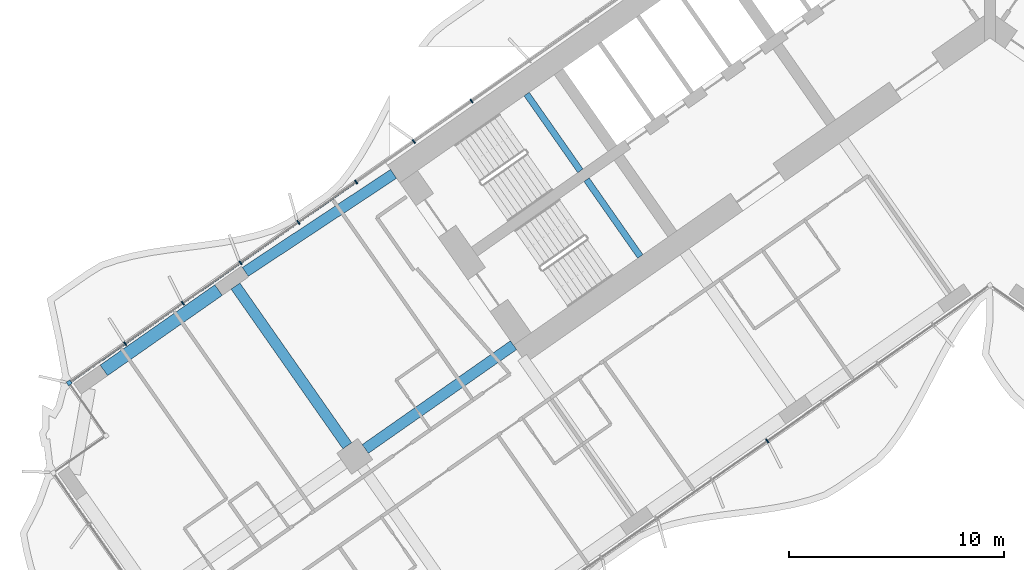
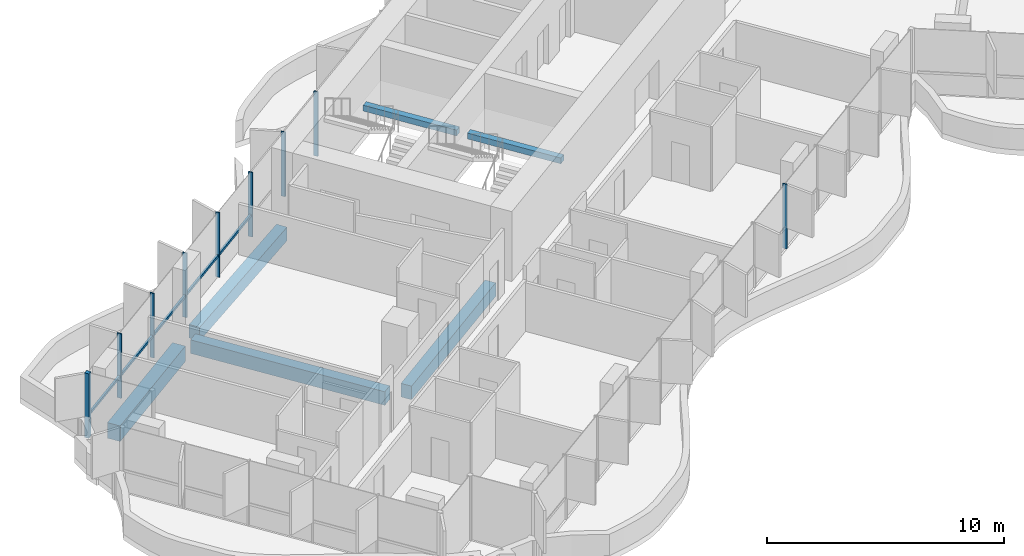
# One storey, part 4 of 23: 10 members, 6 beams, 2 elements without a shape of their own.
"""IFC4 building model written with IfcOpenShell, lengths in metres."""

from ifc_helpers import new_model, si_unit, direction, frame, origin, origin_2d, place, context, subcontext, project, spatial, rectangle, extrude, material, material_profile, profile_set, type_object, element, aggregate, save


model = new_model("IFC4")

# Units and contexts
model_context = context("Model", 3, precision=1e-05, world=origin(), true_north=direction((0.0, 1.0)))
body_context = subcontext(model_context, "Body", "Model", "MODEL_VIEW")
ifc_project = project(units=[si_unit("LENGTHUNIT", "METRE"), si_unit("AREAUNIT", "SQUARE_METRE"), si_unit("VOLUMEUNIT", "CUBIC_METRE"), si_unit("PLANEANGLEUNIT", "RADIAN"), si_unit("MASSUNIT", "GRAM", prefix="KILO")], contexts=[model_context])

# Site, building, storey
site_placement = place(None, origin())
site = spatial("IfcSite", under=ifc_project, at=site_placement, CompositionType="ELEMENT")
building_placement = place(site_placement, origin())
building = spatial("IfcBuilding", under=site, at=building_placement, Name="Tel Ilan Convention Tower", CompositionType="ELEMENT")
storey_placement = place(building_placement, frame((0.0, 0.0, 79.699951171875)))
storey = spatial("IfcBuildingStorey", under=building, at=storey_placement, Name="L15", CompositionType="ELEMENT", Elevation=79.699951171875)

# Beams
ifc_material_1 = material(Name="Concrete C40/50", Category="concrete")
ifc_material_profile_1 = material_profile(ifc_material_1, rectangle(XDim=0.5, YDim=0.699951171875, at=origin_2d()), Name="RC 500x700")
ifc_profile_set_1 = profile_set([ifc_material_profile_1], Name="Concrete C40/50")
beam_type_1 = type_object("IfcBeamType", Name="Beam RC 500x700 Concrete C40/50", PredefinedType="BEAM", material=ifc_profile_set_1)
beam_1_placement = place(storey_placement, frame((-34.570556640625, -12.08447265625, -0.6298828125), z_axis=(0.834273603487, 0.551350663847, 0.0), x_axis=(-0.551350663847, 0.834273603487, 0.0)))
element("IfcBeam", 1, at=beam_1_placement, inside=storey, type_object=beam_type_1, Name="L15 beam W-W-B4-core", PredefinedType="BEAM", context=body_context, shape_type="SweptSolid", body=[
    extrude(rectangle(XDim=0.5, YDim=0.699951171875, at=origin_2d()), origin(), (0.0, 0.0, 1.0), 8.2529296875),
])
beam_2_placement = place(storey_placement, frame((-22.1171875, -15.486572265625, -0.6298828125), z_axis=(-0.819147254605, -0.573583276668, 0.0), x_axis=(0.573583276668, -0.819147254605, 0.0)))
element("IfcBeam", 2, at=beam_2_placement, inside=storey, type_object=beam_type_1, Name="L15 beam W-core-W-M4", PredefinedType="BEAM", context=body_context, shape_type="SweptSolid", body=[
    extrude(rectangle(XDim=0.5, YDim=0.699951171875, at=origin_2d()), origin(), (0.0, 0.0, 1.0), 8.400146484375),
])
beam_3_placement = place(storey_placement, frame((-29.83349609375, -20.1572265625, -0.6298828125), z_axis=(-0.57358002233, 0.819149533348, 0.0), x_axis=(-0.819149533348, -0.57358002233, 0.0)))
element("IfcBeam", 3, at=beam_3_placement, inside=storey, type_object=beam_type_1, Name="L15 beam W-W-M4-W-B4", PredefinedType="BEAM", context=body_context, shape_type="SweptSolid", body=[
    extrude(rectangle(XDim=0.5, YDim=0.699951171875, at=origin_2d()), origin(), (0.0, 0.0, 1.0), 9.050048828125),
])
ifc_material_2 = material(Name="Concrete C40/50", Category="concrete")
ifc_material_profile_2 = material_profile(ifc_material_2, rectangle(XDim=0.60009765625, YDim=0.800048828125, at=origin_2d()), Name="RC 600x800")
ifc_profile_set_2 = profile_set([ifc_material_profile_2], Name="Concrete C40/50")
beam_type_2 = type_object("IfcBeamType", Name="Beam RC 600x800 Concrete C40/50", PredefinedType="BEAM", material=ifc_profile_set_2)
beam_4_placement = place(storey_placement, frame((-41.135498046875, -16.656494140625, -0.679931640625), z_axis=(0.819178980414, 0.573537965655, 0.0), x_axis=(-0.573537965655, 0.819178980414, 0.0)))
element("IfcBeam", 4, at=beam_4_placement, inside=storey, type_object=beam_type_2, Name="L15 beam W-W-BC-W-B4", PredefinedType="BEAM", context=body_context, shape_type="SweptSolid", body=[
    extrude(rectangle(XDim=0.60009765625, YDim=0.800048828125, at=origin_2d()), origin(), (0.0, 0.0, 1.0), 6.5),
])

# Curtain wall, member
ifc_material_3 = material(Name="Aluminium, bronze anodised", Category="aluminium")
curtain_wall_type_1 = type_object("IfcCurtainWallType", Name="CW1 UNITISED CURTAIN WALL, HOTEL TINTED GLASS", PredefinedType="NOTDEFINED", material=ifc_material_3)
curtain_wall_1_placement = place(storey_placement, origin())
curtain_wall_1 = element("IfcCurtainWall", 5, at=curtain_wall_1_placement, inside=storey, type_object=curtain_wall_type_1, Name="Curtain wall CW1-15.02", PredefinedType="NOTDEFINED")
ifc_material_4 = material(Name="Aluminium, bronze anodised", Category="aluminium")
ifc_material_profile_3 = material_profile(ifc_material_4, rectangle(XDim=0.199951171875, YDim=0.199951171875, at=origin_2d()), Name="CW CORNER MULLION 200x200")
ifc_profile_set_3 = profile_set([ifc_material_profile_3], Name="Aluminium, bronze anodised")
member_type_1 = type_object("IfcMemberType", Name="CW CORNER MULLION 200x200", PredefinedType="MULLION", material=ifc_profile_set_3)
member_1_placement = place(storey_placement, frame((-42.7451171875, -17.234375, 0.0), z_axis=(0.0, 0.0, 1.0), x_axis=(-0.819152044289, -0.573576436351, 0.0)))
member_1 = element("IfcMember", 6, at=member_1_placement, type_object=member_type_1, Name="Corner mullion", PredefinedType="MULLION", context=body_context, shape_type="SweptSolid", body=[
    extrude(rectangle(XDim=0.199951171875, YDim=0.199951171875, at=origin_2d()), origin(), (0.0, 0.0, 1.0), 3.320068359375),
])

# Curtain wall, members
ifc_material_5 = material(Name="Aluminium, bronze anodised", Category="aluminium")
curtain_wall_type_2 = type_object("IfcCurtainWallType", Name="CW2 STICK CURTAIN WALL, SPANDREL PANELS", PredefinedType="NOTDEFINED", material=ifc_material_5)
curtain_wall_2_placement = place(storey_placement, origin())
curtain_wall_2 = element("IfcCurtainWall", 7, at=curtain_wall_2_placement, inside=storey, type_object=curtain_wall_type_2, Name="Curtain wall CW2-15.01", PredefinedType="NOTDEFINED")
ifc_material_6 = material(Name="Aluminium, bronze anodised", Category="aluminium")
ifc_material_profile_4 = material_profile(ifc_material_6, rectangle(XDim=0.06005859375, YDim=0.199951171875, at=origin_2d()), Name="CW MULLION 60x200")
ifc_profile_set_4 = profile_set([ifc_material_profile_4], Name="Aluminium, bronze anodised")
member_type_2 = type_object("IfcMemberType", Name="CW MULLION 60x200", PredefinedType="MULLION", material=ifc_profile_set_4)
member_2_placement = place(storey_placement, frame((-24.065185546875, -4.154541015625, 0.0), z_axis=(0.0, 0.0, 1.0), x_axis=(-0.819152044289, -0.573576436351, 0.0)))
member_2 = element("IfcMember", 8, at=member_2_placement, type_object=member_type_2, Name="Mullion", PredefinedType="MULLION", context=body_context, shape_type="SweptSolid", body=[
    extrude(rectangle(XDim=0.06005859375, YDim=0.199951171875, at=origin_2d()), origin(), (0.0, 0.0, 1.0), 3.320068359375),
])
member_3_placement = place(storey_placement, frame((-26.745361328125, -6.03125, 0.0), z_axis=(0.0, 0.0, 1.0), x_axis=(-0.819152044289, -0.573576436351, 0.0)))
member_3 = element("IfcMember", 9, at=member_3_placement, type_object=member_type_2, Name="Mullion", PredefinedType="MULLION", context=body_context, shape_type="SweptSolid", body=[
    extrude(rectangle(XDim=0.06005859375, YDim=0.199951171875, at=origin_2d()), origin(), (0.0, 0.0, 1.0), 3.320068359375),
])
member_4_placement = place(storey_placement, frame((-29.42578125, -7.907958984375, 0.0), z_axis=(0.0, 0.0, 1.0), x_axis=(-0.819152044289, -0.573576436351, 0.0)))
member_4 = element("IfcMember", 10, at=member_4_placement, type_object=member_type_2, Name="Mullion", PredefinedType="MULLION", context=body_context, shape_type="SweptSolid", body=[
    extrude(rectangle(XDim=0.06005859375, YDim=0.199951171875, at=origin_2d()), origin(), (0.0, 0.0, 1.0), 3.320068359375),
])
aggregate(curtain_wall_2, [member_2, member_3, member_4])

# Member
member_5_placement = place(storey_placement, frame((-32.10595703125, -9.78466796875, 0.0), z_axis=(0.0, 0.0, 1.0), x_axis=(-0.819152044289, -0.573576436351, 0.0)))
member_5 = element("IfcMember", 11, at=member_5_placement, type_object=member_type_2, Name="Mullion", PredefinedType="MULLION", context=body_context, shape_type="SweptSolid", body=[
    extrude(rectangle(XDim=0.06005859375, YDim=0.199951171875, at=origin_2d()), origin(), (0.0, 0.0, 1.0), 3.320068359375),
])

member_6_placement = place(storey_placement, frame((-34.7861328125, -11.66162109375, 0.0), z_axis=(0.0, 0.0, 1.0), x_axis=(-0.819152044289, -0.573576436351, 0.0)))
member_6 = element("IfcMember", 12, at=member_6_placement, type_object=member_type_2, Name="Mullion", PredefinedType="MULLION", context=body_context, shape_type="SweptSolid", body=[
    extrude(rectangle(XDim=0.06005859375, YDim=0.199951171875, at=origin_2d()), origin(), (0.0, 0.0, 1.0), 3.320068359375),
])

member_7_placement = place(storey_placement, frame((-37.466552734375, -13.538330078125, 0.0), z_axis=(0.0, 0.0, 1.0), x_axis=(-0.819152044289, -0.573576436351, 0.0)))
member_7 = element("IfcMember", 13, at=member_7_placement, type_object=member_type_2, Name="Mullion", PredefinedType="MULLION", context=body_context, shape_type="SweptSolid", body=[
    extrude(rectangle(XDim=0.06005859375, YDim=0.199951171875, at=origin_2d()), origin(), (0.0, 0.0, 1.0), 3.320068359375),
])

member_8_placement = place(storey_placement, frame((-40.146728515625, -15.4150390625, 0.0), z_axis=(0.0, 0.0, 1.0), x_axis=(-0.819152044289, -0.573576436351, 0.0)))
member_8 = element("IfcMember", 14, at=member_8_placement, type_object=member_type_2, Name="Mullion", PredefinedType="MULLION", context=body_context, shape_type="SweptSolid", body=[
    extrude(rectangle(XDim=0.06005859375, YDim=0.199951171875, at=origin_2d()), origin(), (0.0, 0.0, 1.0), 3.320068359375),
])

member_9_placement = place(storey_placement, frame((-10.337158203125, -19.93408203125, 0.0), z_axis=(0.0, 0.0, 1.0), x_axis=(0.819152044289, 0.573576436351, 0.0)))
member_9 = element("IfcMember", 15, at=member_9_placement, type_object=member_type_2, Name="Mullion", PredefinedType="MULLION", context=body_context, shape_type="SweptSolid", body=[
    extrude(rectangle(XDim=0.06005859375, YDim=0.199951171875, at=origin_2d()), origin(), (0.0, 0.0, 1.0), 3.320068359375),
])

ifc_material_7 = material(Name="Aluminium, bronze anodised", Category="aluminium")
ifc_material_profile_5 = material_profile(ifc_material_7, rectangle(XDim=0.10009765625, YDim=0.1201171875, at=origin_2d()), Name="CW TRANSOM 100x120")
ifc_profile_set_5 = profile_set([ifc_material_profile_5], Name="Aluminium, bronze anodised")
member_type_3 = type_object("IfcMemberType", Name="CW TRANSOM 100x120", PredefinedType="USERDEFINED", material=ifc_profile_set_5)
member_10_placement = place(storey_placement, frame((-29.4501953125, -7.92529296875, 1.10009765625), z_axis=(-0.819153693934, -0.573574080407, 0.0), x_axis=(0.573574080407, -0.819153693934, 0.0)))
member_10 = element("IfcMember", 16, at=member_10_placement, type_object=member_type_3, Name="Transom", ObjectType="TRANSOM", PredefinedType="USERDEFINED", context=body_context, shape_type="SweptSolid", body=[
    extrude(rectangle(XDim=0.10009765625, YDim=0.1201171875, at=origin_2d()), origin(), (0.0, 0.0, 1.0), 16.1298828125),
])

aggregate(curtain_wall_1, [member_5, member_6, member_7, member_8, member_1, member_10, member_9])

# Beams
ifc_material_8 = material(Name="Concrete C40/50", Category="concrete")
ifc_material_profile_6 = material_profile(ifc_material_8, rectangle(XDim=0.300048828125, YDim=0.300048828125, at=origin_2d()), Name="RC 300x300")
ifc_profile_set_6 = profile_set([ifc_material_profile_6], Name="Concrete C40/50")
beam_type_3 = type_object("IfcBeamType", Name="Landing Beam RC 300x300 Concrete C40/50", PredefinedType="BEAM", material=ifc_profile_set_6)
beam_5_placement = place(storey_placement, frame((-19.013671875, -7.392822265625, 1.449951171875), z_axis=(-0.57356780395, 0.819158088694, 0.0), x_axis=(-0.819158088694, -0.57356780395, 0.0)))
element("IfcBeam", 17, at=beam_5_placement, inside=storey, type_object=beam_type_3, Name="S1 landing beam L15.1", PredefinedType="BEAM", context=body_context, shape_type="SweptSolid", body=[
    extrude(rectangle(XDim=0.300048828125, YDim=0.300048828125, at=origin_2d()), origin(), (0.0, 0.0, 1.0), 4.35009765625),
])
beam_6_placement = place(storey_placement, frame((-16.231689453125, -11.365478515625, 1.449951171875), z_axis=(-0.573594173421, 0.819139624372, 0.0), x_axis=(-0.819139624372, -0.573594173421, 0.0)))
element("IfcBeam", 18, at=beam_6_placement, inside=storey, type_object=beam_type_3, Name="S2 landing beam L15.1", PredefinedType="BEAM", context=body_context, shape_type="SweptSolid", body=[
    extrude(rectangle(XDim=0.300048828125, YDim=0.300048828125, at=origin_2d()), origin(), (0.0, 0.0, 1.0), 4.349853515625),
])

save(model, "model.ifc")
